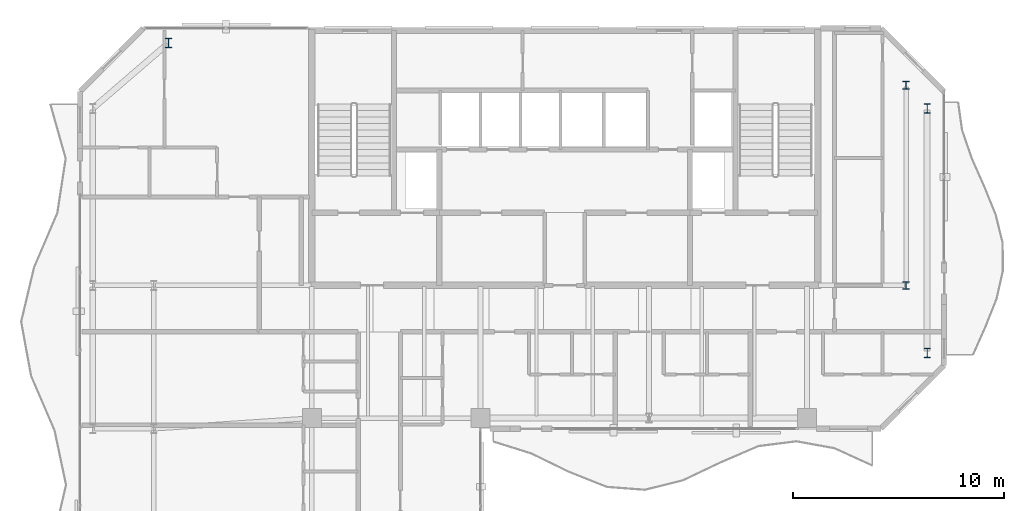
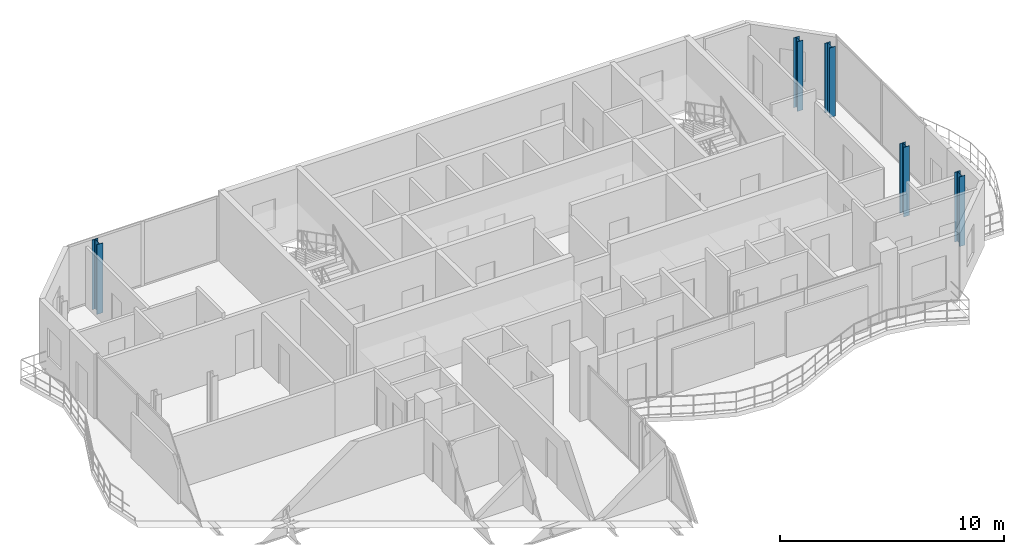
# One storey, part 2 of 22: 5 columns.
"""IFC4 building model written with IfcOpenShell, lengths in metres."""

from ifc_helpers import new_model, si_unit, direction, frame, origin, origin_2d, place, context, subcontext, project, spatial, i_section, extrude, material, material_profile, profile_set, type_object, element, save


model = new_model("IFC4")

# Units and contexts
model_context = context("Model", 3, precision=1e-05, world=origin(), true_north=direction((0.0, 1.0)))
body_context = subcontext(model_context, "Body", "Model", "MODEL_VIEW")
ifc_project = project(units=[si_unit("LENGTHUNIT", "METRE"), si_unit("AREAUNIT", "SQUARE_METRE"), si_unit("VOLUMEUNIT", "CUBIC_METRE"), si_unit("PLANEANGLEUNIT", "RADIAN"), si_unit("MASSUNIT", "GRAM", prefix="KILO")], contexts=[model_context])

# Site, building, storey
site_placement = place(None, origin())
site = spatial("IfcSite", under=ifc_project, at=site_placement, CompositionType="ELEMENT")
building_placement = place(site_placement, origin())
building = spatial("IfcBuilding", under=site, at=building_placement, Name="Catumbela Crestline Tower", CompositionType="ELEMENT")
storey_placement = place(building_placement, frame((0.0, 0.0, 229.8)))
storey = spatial("IfcBuildingStorey", under=building, at=storey_placement, Name="L59", CompositionType="ELEMENT", Elevation=229.8)

# Columns
ifc_material = material(Name="Structural steel S355J2", Category="steel")
ifc_material_profile_1 = material_profile(ifc_material, i_section(OverallWidth=0.3, OverallDepth=0.36, WebThickness=0.0125, FlangeThickness=0.0225, FilletRadius=0.027, at=origin_2d()), Name="HEB 360")
ifc_profile_set_1 = profile_set([ifc_material_profile_1], Name="Structural steel S355J2")
column_type_1 = type_object("IfcColumnType", Name="C-ST-HEB360", PredefinedType="COLUMN", material=ifc_profile_set_1)
for number, where, z_axis, x_axis, name in (
    (1, (44.2, 30.8, 0.0), (0.0, 0.0, 1.0), (1.0, 0.0, 0.0), "L59 Column CT-46-31 (HEB 360)"),
    (2, (44.2, 40.3, 0.0), (0.0, 0.0, 1.0), (1.0, 0.0, 0.0), "L59 Column CT-46-37 (HEB 360)"),
):
    element("IfcColumn", number, at=place(storey_placement, frame(where, z_axis=z_axis, x_axis=x_axis)), inside=storey, type_object=column_type_1, Name=name, PredefinedType="COLUMN", context=body_context, shape_type="SweptSolid", body=[
        extrude(i_section(OverallWidth=0.3, OverallDepth=0.36, WebThickness=0.0125, FlangeThickness=0.0225, FilletRadius=0.027, at=origin_2d()), origin(), (0.0, 0.0, 1.0), 3.8),
    ])
ifc_material_profile_2 = material_profile(ifc_material, i_section(OverallWidth=0.3, OverallDepth=0.45, WebThickness=0.014, FlangeThickness=0.026, FilletRadius=0.027, at=origin_2d()), Name="HEB 450")
ifc_profile_set_2 = profile_set([ifc_material_profile_2], Name="Structural steel S355J2")
column_type_2 = type_object("IfcColumnType", Name="C-ST-HEB450", PredefinedType="COLUMN", material=ifc_profile_set_2)
for number, where, z_axis, x_axis, name in (
    (3, (9.2, 42.3, 0.0), (0.0, 0.0, 1.0), (1.0, 0.0, 0.0), "L59 Column C-08-43 (HEB 450)"),
    (4, (45.2, 27.6, 0.0), (0.0, 0.0, 1.0), (1.0, 0.0, 0.0), "L59 Column C-46-24 (HEB 450)"),
    (5, (45.2, 39.2, 0.0), (0.0, 0.0, 1.0), (1.0, 0.0, 0.0), "L59 Column C-46-43 (HEB 450)"),
):
    element("IfcColumn", number, at=place(storey_placement, frame(where, z_axis=z_axis, x_axis=x_axis)), inside=storey, type_object=column_type_2, Name=name, PredefinedType="COLUMN", context=body_context, shape_type="SweptSolid", body=[
        extrude(i_section(OverallWidth=0.3, OverallDepth=0.45, WebThickness=0.014, FlangeThickness=0.026, FilletRadius=0.027, at=origin_2d()), origin(), (0.0, 0.0, 1.0), 3.8),
    ])

save(model, "model.ifc")
